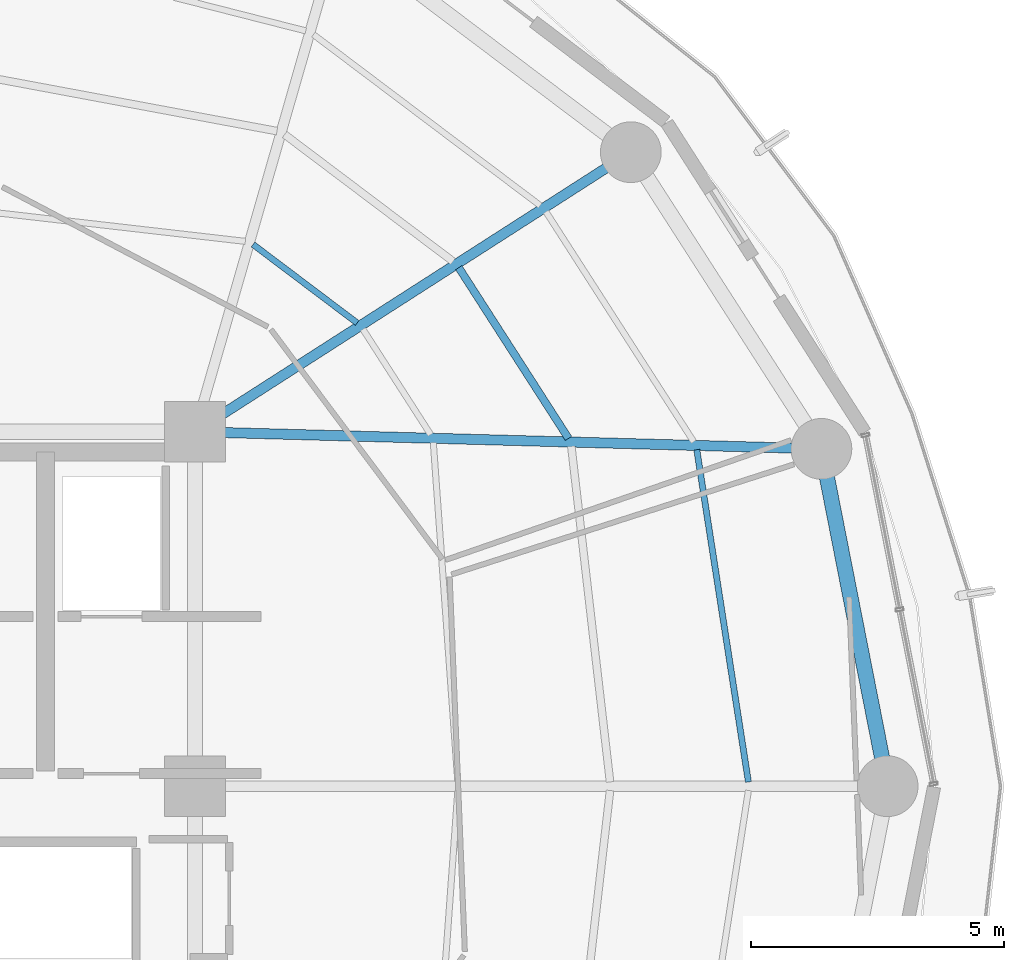
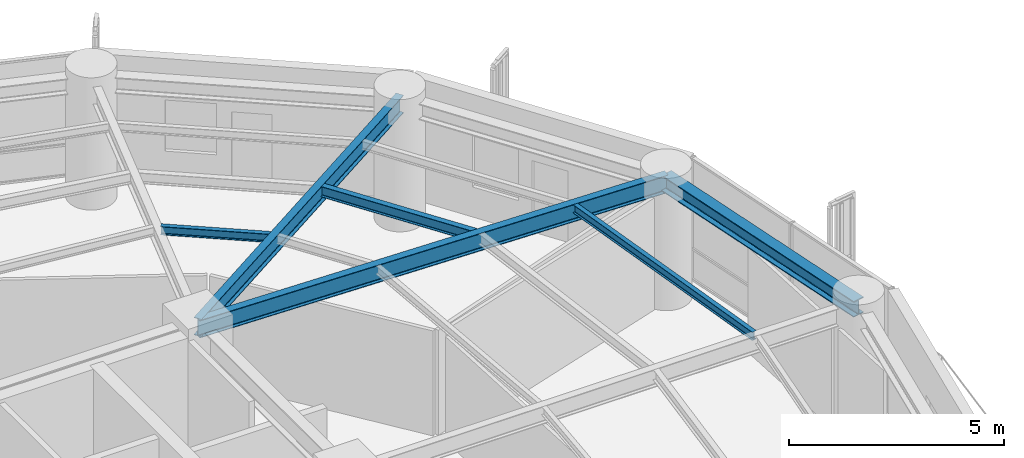
# One storey, part 14 of 27: 6 beams.
"""IFC4 building model written with IfcOpenShell, lengths in metres."""

from ifc_helpers import new_model, si_unit, direction, frame, origin, origin_2d, place, context, subcontext, project, spatial, i_section, extrude, material, material_profile, profile_set, type_object, element, save


model = new_model("IFC4")

# Units and contexts
model_context = context("Model", 3, precision=1e-05, world=origin(), true_north=direction((0.0, 1.0)))
body_context = subcontext(model_context, "Body", "Model", "MODEL_VIEW")
ifc_project = project(units=[si_unit("LENGTHUNIT", "METRE"), si_unit("AREAUNIT", "SQUARE_METRE"), si_unit("VOLUMEUNIT", "CUBIC_METRE"), si_unit("PLANEANGLEUNIT", "RADIAN"), si_unit("MASSUNIT", "GRAM", prefix="KILO")], contexts=[model_context])

# Site, building, storey
site_placement = place(None, origin())
site = spatial("IfcSite", under=ifc_project, at=site_placement, CompositionType="ELEMENT")
building_placement = place(site_placement, origin())
building = spatial("IfcBuilding", under=site, at=building_placement, Name="Kelanora Arch Commons", CompositionType="ELEMENT")
storey_placement = place(building_placement, frame((0.0, 0.0, 173.10009765625)))
storey = spatial("IfcBuildingStorey", under=building, at=storey_placement, Name="L44", CompositionType="ELEMENT", Elevation=173.10009765625)

# Beams
ifc_material = material(Name="Steel S355", Category="steel")
ifc_material_profile_1 = material_profile(ifc_material, i_section(OverallWidth=0.14990234375, OverallDepth=0.300048828125, WebThickness=0.007080078125, FlangeThickness=0.0107421875, FilletRadius=0.014892578125, at=origin_2d()), Name="IPE300")
ifc_profile_set_1 = profile_set([ifc_material_profile_1], Name="Steel S355")
beam_type_1 = type_object("IfcBeamType", Name="BM-JST-01", PredefinedType="JOIST", material=ifc_profile_set_1)
beam_1_placement = place(storey_placement, frame((89.377685546875, 64.869140625, 3.33984375), z_axis=(-0.540594434398, 0.841283339606, 0.0), x_axis=(-0.841283339606, -0.540594434398, 0.0)))
element("IfcBeam", 1, at=beam_1_placement, inside=storey, type_object=beam_type_1, Name="Secondary Chord Joist BJB-02 L44", PredefinedType="JOIST", context=body_context, shape_type="SweptSolid", body=[
    extrude(i_section(OverallWidth=0.14990234375, OverallDepth=0.300048828125, WebThickness=0.007080078125, FlangeThickness=0.0107421875, FilletRadius=0.014892578125, at=origin_2d()), origin(), (0.0, 0.0, 1.0), 4.008544921875),
])
ifc_material_profile_2 = material_profile(ifc_material, i_section(OverallWidth=0.1201171875, OverallDepth=0.239990234375, WebThickness=0.006103515625, FlangeThickness=0.009765625, FilletRadius=0.014892578125, at=origin_2d()), Name="IPE240")
ifc_profile_set_2 = profile_set([ifc_material_profile_2], Name="Steel S355")
beam_type_2 = type_object("IfcBeamType", Name="BM-JST-02", PredefinedType="JOIST", material=ifc_profile_set_2)
beam_2_placement = place(storey_placement, frame((92.930908203125, 58.083984375, 3.369873046875), z_axis=(-0.153562625853, 0.988138917329, 0.0), x_axis=(-0.988138917329, -0.153562625853, 0.0)))
element("IfcBeam", 2, at=beam_2_placement, inside=storey, type_object=beam_type_2, Name="Secondary Chord Joist BJC-00 L44", PredefinedType="JOIST", context=body_context, shape_type="SweptSolid", body=[
    extrude(i_section(OverallWidth=0.1201171875, OverallDepth=0.239990234375, WebThickness=0.006103515625, FlangeThickness=0.009765625, FilletRadius=0.014892578125, at=origin_2d()), origin(), (0.0, 0.0, 1.0), 6.640869140625),
])
beam_3_placement = place(storey_placement, frame((85.203125, 67.1494140625, 3.369873046875), z_axis=(-0.798484118859, 0.602015873487, 0.0), x_axis=(-0.602015873487, -0.798484118859, 0.0)))
element("IfcBeam", 3, at=beam_3_placement, inside=storey, type_object=beam_type_2, Name="Secondary Chord Joist BJA-04 L44", PredefinedType="JOIST", context=body_context, shape_type="SweptSolid", body=[
    extrude(i_section(OverallWidth=0.1201171875, OverallDepth=0.239990234375, WebThickness=0.006103515625, FlangeThickness=0.009765625, FilletRadius=0.014892578125, at=origin_2d()), origin(), (0.0, 0.0, 1.0), 2.57470703125),
])
ifc_material_profile_3 = material_profile(ifc_material, i_section(OverallWidth=0.199951171875, OverallDepth=0.5, WebThickness=0.01025390625, FlangeThickness=0.01611328125, FilletRadius=0.02099609375, at=origin_2d()), Name="IPE500")
ifc_profile_set_3 = profile_set([ifc_material_profile_3], Name="Steel S355")
beam_type_3 = type_object("IfcBeamType", Name="BM-RAD-Z3", PredefinedType="BEAM", material=ifc_profile_set_3)
beam_4_placement = place(storey_placement, frame((82.0, 65.0, 3.239990234375), z_axis=(0.999628374924, -0.027260081577, 0.0), x_axis=(0.027260081577, 0.999628374924, 0.0)))
element("IfcBeam", 4, at=beam_4_placement, inside=storey, type_object=beam_type_3, Name="Radial Floor Girder BR-02 L44", PredefinedType="BEAM", context=body_context, shape_type="SweptSolid", body=[
    extrude(i_section(OverallWidth=0.199951171875, OverallDepth=0.5, WebThickness=0.01025390625, FlangeThickness=0.01611328125, FilletRadius=0.02099609375, at=origin_2d()), origin(), (0.0, 0.0, 1.0), 12.377197265625),
])
beam_5_placement = place(storey_placement, frame((82.0, 65.0, 3.239990234375), z_axis=(0.841719465748, 0.539915123868, 0.0), x_axis=(-0.539915123868, 0.841719465748, 0.0)))
element("IfcBeam", 5, at=beam_5_placement, inside=storey, type_object=beam_type_3, Name="Radial Floor Girder BR-04 L44", PredefinedType="BEAM", context=body_context, shape_type="SweptSolid", body=[
    extrude(i_section(OverallWidth=0.199951171875, OverallDepth=0.5, WebThickness=0.01025390625, FlangeThickness=0.01611328125, FilletRadius=0.02099609375, at=origin_2d()), origin(), (0.0, 0.0, 1.0), 10.2265625),
])
ifc_material_profile_4 = material_profile(ifc_material, i_section(OverallWidth=0.300048828125, OverallDepth=0.449951171875, WebThickness=0.013916015625, FlangeThickness=0.02587890625, FilletRadius=0.027099609375, at=origin_2d()), Name="HEB450")
ifc_profile_set_4 = profile_set([ifc_material_profile_4], Name="Steel S355")
beam_type_4 = type_object("IfcBeamType", Name="BM-SPN-Z3", PredefinedType="SPANDREL", material=ifc_profile_set_4)
beam_6_placement = place(storey_placement, frame((95.679931640625, 58.0, 3.264892578125), z_axis=(-0.192553643556, 0.981286448675, 0.0), x_axis=(-0.981286448675, -0.192553643556, 0.0)))
element("IfcBeam", 6, at=beam_6_placement, inside=storey, type_object=beam_type_4, Name="Perimeter Spandrel Beam BS-00 L44", PredefinedType="SPANDREL", context=body_context, shape_type="SweptSolid", body=[
    extrude(i_section(OverallWidth=0.300048828125, OverallDepth=0.449951171875, WebThickness=0.013916015625, FlangeThickness=0.02587890625, FilletRadius=0.027099609375, at=origin_2d()), origin(), (0.0, 0.0, 1.0), 6.78955078125),
])

save(model, "model.ifc")
